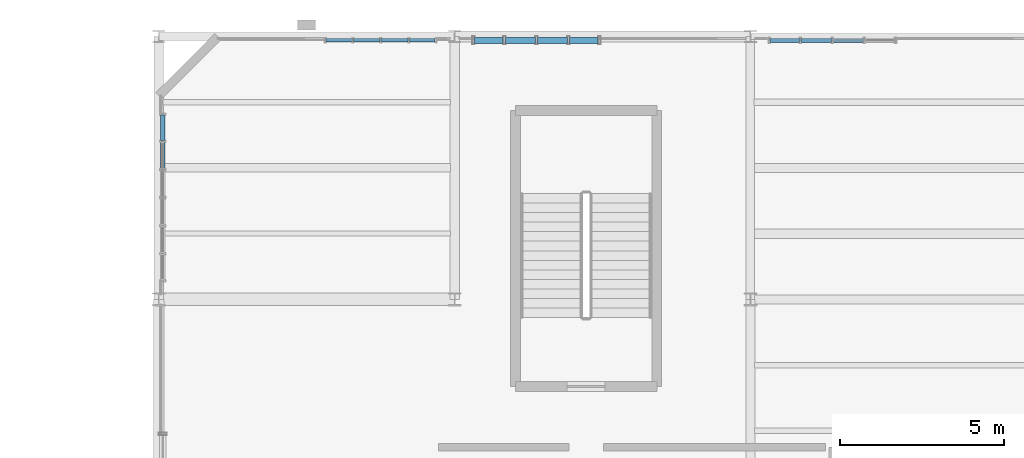
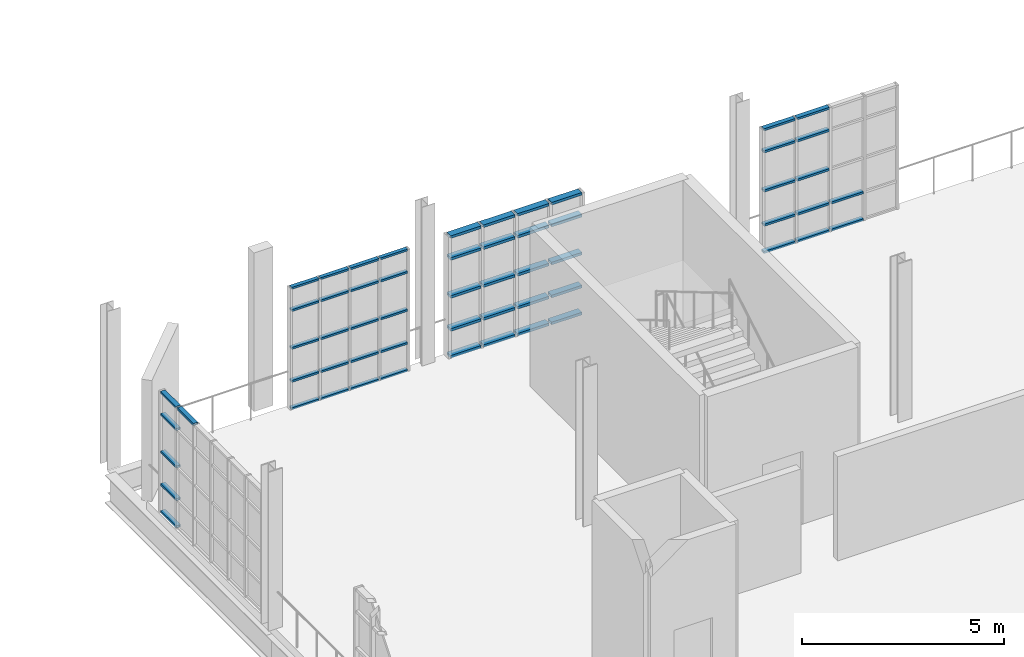
# One storey, part 84 of 118: 58 members, 4 elements without a shape of their own.
"""IFC4 building model written with IfcOpenShell, lengths in metres."""

import ifcopenshell
import ifcopenshell.guid

model = None  # the IFC model being written
_history = None  # IfcOwnerHistory: only IFC2X3 demands one
_inside = {}  # id of a spatial element -> (the spatial element, [elements in it])
_under = {}  # id of a project, library or spatial element -> (it, [spatial elements below it])
_declared = {}  # id of a project -> (the project, [libraries it declares])
_typed = {}  # id of a type object -> (the type object, [elements of that type])
_made_of = {}  # id of a material, layer set ... -> (it, [elements and type objects made of it])


def new_model(schema):
    """Start an empty IFC model of exactly this schema.

    Asked for "IFC4X3", IfcOpenShell would pick the latest addendum, in which some entities
    have other attributes; the version numbers below select the first issue.
    IFC2X3 requires an IfcOwnerHistory on every rooted entity: one is made here for all.
    """
    global model, _history
    if schema == "IFC4X3":
        model = ifcopenshell.file(schema_version=(4, 3, 0, 0))
    else:
        model = ifcopenshell.file(schema=schema)
    _inside.clear()
    _under.clear()
    _declared.clear()
    _typed.clear()
    _made_of.clear()
    _history = None
    if model.schema == "IFC2X3":
        org = make("IfcOrganization", Name="unknown")
        user = make(
            "IfcPersonAndOrganization",
            ThePerson=make("IfcPerson", FamilyName="unknown"),
            TheOrganization=org,
        )
        app = make(
            "IfcApplication",
            ApplicationDeveloper=org,
            Version="unknown",
            ApplicationFullName="unknown",
            ApplicationIdentifier="unknown",
        )
        _history = make(
            "IfcOwnerHistory",
            OwningUser=user,
            OwningApplication=app,
            ChangeAction="ADDED",
            CreationDate=0,
        )
    return model


def make(cls, **values):
    """One entity of the class cls with the attributes given. An attribute that is None is left unset."""
    return model.create_entity(
        cls, **{name: value for name, value in values.items() if value is not None}
    )


def rooted(cls, **values):
    """An entity with a GlobalId (a new one), such as an element, a storey or a relation."""
    return make(cls, GlobalId=ifcopenshell.guid.new(), OwnerHistory=_history, **values)


def si_unit(unit_type, name, prefix=None):
    """IfcSIUnit, for example si_unit("LENGTHUNIT", "METRE", prefix="MILLI")."""
    return make("IfcSIUnit", UnitType=unit_type, Prefix=prefix, Name=name)


def assignment(units):
    """IfcUnitAssignment: the units of a project."""
    return None if units is None else make("IfcUnitAssignment", Units=units)


def point(xyz):
    """IfcCartesianPoint."""
    return None if xyz is None else make("IfcCartesianPoint", Coordinates=xyz)


def direction(xyz):
    """IfcDirection."""
    return None if xyz is None else make("IfcDirection", DirectionRatios=xyz)


def frame(location, z_axis=None, x_axis=None):
    """IfcAxis2Placement3D, a coordinate frame: its origin and axes. An axis left out is left unset."""
    return make(
        "IfcAxis2Placement3D",
        Location=point(location),
        Axis=direction(z_axis),
        RefDirection=direction(x_axis),
    )


def frame_2d(location, x_axis=None):
    """IfcAxis2Placement2D, a coordinate frame in the plane: its origin and x axis."""
    return make(
        "IfcAxis2Placement2D", Location=point(location), RefDirection=direction(x_axis)
    )


def origin():
    """The frame at (0, 0, 0) with its axes left unset."""
    return frame((0.0, 0.0, 0.0))


def origin_2d():
    """The frame at (0, 0) in the plane with its x axis left unset."""
    return frame_2d((0.0, 0.0))


def place(relative_to, where):
    """IfcLocalPlacement: puts the frame where relative to a parent placement (None: the world)."""
    return make(
        "IfcLocalPlacement", PlacementRelTo=relative_to, RelativePlacement=where
    )


def context(
    kind, dimensions, precision=None, world=None, true_north=None, identifier=None
):
    """IfcGeometricRepresentationContext, for example the 3D "Model" context."""
    return make(
        "IfcGeometricRepresentationContext",
        ContextIdentifier=identifier,
        ContextType=kind,
        CoordinateSpaceDimension=dimensions,
        Precision=precision,
        WorldCoordinateSystem=world,
        TrueNorth=true_north,
    )


def subcontext(parent, identifier, kind, view, scale=None):
    """IfcGeometricRepresentationSubContext, for example "Body" below "Model"."""
    return make(
        "IfcGeometricRepresentationSubContext",
        ContextIdentifier=identifier,
        ContextType=kind,
        ParentContext=parent,
        TargetScale=scale,
        TargetView=view,
    )


def project(units=None, contexts=None):
    """IfcProject with its units and contexts."""
    return rooted(
        "IfcProject",
        Name="project",
        RepresentationContexts=contexts,
        UnitsInContext=assignment(units),
    )


def spatial(cls, under=None, at=None, **own):
    """A site, building, storey or space (cls), placed at a placement, below another one or the project."""
    s = rooted(cls, ObjectPlacement=at, **own)
    if under is not None:
        _under.setdefault(under.id(), (under, []))[1].append(s)
    return s


def profile(cls, at=None, kind="AREA", **sizes):
    """A parametric profile (cls). Its sizes go by their IFC names, for example OverallWidth=200.0."""
    return make(cls, ProfileType=kind, Position=at, **sizes)


def hollow_rectangle(**sizes):
    """IfcRectangleHollowProfileDef."""
    return profile("IfcRectangleHollowProfileDef", **sizes)


def extrude(swept, where, along, depth):
    """IfcExtrudedAreaSolid: the profile swept, set in the frame where, extruded along a direction by depth."""
    return make(
        "IfcExtrudedAreaSolid",
        SweptArea=swept,
        Position=where,
        ExtrudedDirection=direction(along),
        Depth=depth,
    )


def shape(context_of_items, identifier, shape_type, items):
    """IfcShapeRepresentation: the items that make up one representation, for example the "Body"."""
    return make(
        "IfcShapeRepresentation",
        ContextOfItems=context_of_items,
        RepresentationIdentifier=identifier,
        RepresentationType=shape_type,
        Items=items,
    )


def material(Name=None, Category=None):
    """IfcMaterial."""
    return make("IfcMaterial", Name=Name, Category=Category)


def layer(
    of_material, thickness, ventilated=None, Name=None, Category=None, Priority=None
):
    """IfcMaterialLayer: one layer of a wall or slab, of a material (None: an air gap)."""
    return make(
        "IfcMaterialLayer",
        Material=of_material,
        LayerThickness=thickness,
        IsVentilated=ventilated,
        Name=Name,
        Category=Category,
        Priority=Priority,
    )


def layer_set(layers, Name=None):
    """IfcMaterialLayerSet."""
    return make("IfcMaterialLayerSet", MaterialLayers=layers, LayerSetName=Name)


def material_profile(
    of_material, cross_section, Name=None, Category=None, Priority=None
):
    """IfcMaterialProfile: a cross section and its material."""
    return make(
        "IfcMaterialProfile",
        Name=Name,
        Material=of_material,
        Profile=cross_section,
        Priority=Priority,
        Category=Category,
    )


def profile_set(profiles, Name=None, composite=None):
    """IfcMaterialProfileSet."""
    return make(
        "IfcMaterialProfileSet",
        Name=Name,
        MaterialProfiles=profiles,
        CompositeProfile=composite,
    )


def made_of(thing, what):
    """Note that an element or type object is made of a material, layer set ...; save() writes the relation."""
    if what is not None:
        _made_of.setdefault(what.id(), (what, []))[1].append(thing)
    return thing


def type_object(cls, material=None, **own):
    """A type object (cls), such as IfcWallType, which elements share."""
    return made_of(rooted(cls, **own), material)


def element(
    cls,
    number,
    at=None,
    inside=None,
    cuts=None,
    type_object=None,
    material=None,
    context=None,
    identifier="Body",
    shape_type=None,
    held_by="IfcProductDefinitionShape",
    body=None,
    shapes=None,
    **own,
):
    """One element of the class cls, such as IfcWall. Its Tag is "e" and its number.

    at: its placement. inside: the storey or other place that contains it. cuts: it is an
    opening in that element (IfcRelVoidsElement). A single representation is given by context,
    identifier, shape_type and body (its items); several are given by shapes. held_by: the class
    of the entity that holds the representations. save() writes the other relations.
    """
    e = rooted(cls, Tag="e%d" % number, ObjectPlacement=at, **own)
    if body is not None:
        shapes = [shape(context, identifier, shape_type, body)]
    if shapes is not None:
        e.Representation = make(held_by, Representations=shapes)
    if inside is not None:
        _inside.setdefault(inside.id(), (inside, []))[1].append(e)
    if cuts is not None:
        rooted(
            "IfcRelVoidsElement", RelatingBuildingElement=cuts, RelatedOpeningElement=e
        )
    if type_object is not None:
        _typed.setdefault(type_object.id(), (type_object, []))[1].append(e)
    return made_of(e, material)


def aggregate(whole, parts):
    """IfcRelAggregates: a whole, such as a stair, and the parts it consists of."""
    return rooted("IfcRelAggregates", RelatingObject=whole, RelatedObjects=parts)


def save(model, path):
    """Write the relations noted so far, then the file.

    IfcRelAggregates (storeys below a building ...), IfcRelContainedInSpatialStructure (elements
    in a storey), IfcRelDefinesByType, IfcRelAssociatesMaterial and IfcRelDeclares: one each for
    every whole, place, type object, material and project.
    """
    for whole, parts in _under.values():
        aggregate(whole, parts)
    for where, things in _inside.values():
        rooted(
            "IfcRelContainedInSpatialStructure",
            RelatedElements=things,
            RelatingStructure=where,
        )
    for kind, things in _typed.values():
        rooted("IfcRelDefinesByType", RelatedObjects=things, RelatingType=kind)
    for what, things in _made_of.values():
        rooted("IfcRelAssociatesMaterial", RelatedObjects=things, RelatingMaterial=what)
    for by, libraries in _declared.values():
        rooted("IfcRelDeclares", RelatingContext=by, RelatedDefinitions=libraries)
    model.write(path)


model = new_model("IFC4")

# Units and contexts
model_context = context("Model", 3, precision=1e-05, world=origin(), true_north=direction((0.0, 1.0)))
body_context = subcontext(model_context, "Body", "Model", "MODEL_VIEW")
ifc_project = project(units=[si_unit("LENGTHUNIT", "METRE"), si_unit("AREAUNIT", "SQUARE_METRE"), si_unit("VOLUMEUNIT", "CUBIC_METRE"), si_unit("PLANEANGLEUNIT", "RADIAN"), si_unit("MASSUNIT", "GRAM", prefix="KILO"), si_unit("THERMODYNAMICTEMPERATUREUNIT", "KELVIN"), si_unit("POWERUNIT", "WATT")], contexts=[model_context])

# Site, building, storey
site_placement = place(None, origin())
site = spatial("IfcSite", under=ifc_project, at=site_placement, CompositionType="ELEMENT")
building_placement = place(site_placement, origin())
building = spatial("IfcBuilding", under=site, at=building_placement, Name="Zelmaris Science Centre", CompositionType="ELEMENT")
storey_placement = place(building_placement, frame((0.0, 0.0, 15.60009765625)))
storey = spatial("IfcBuildingStorey", under=building, at=storey_placement, Name="L03", CompositionType="ELEMENT", Elevation=15.60009765625)

# Curtain wall, members
ifc_material = material(Name="Anodised architectural aluminium 6063-T6", Category="aluminium")
ifc_layer_1 = layer(ifc_material, 0.219970703125, Name="Anodised architectural aluminium 6063-T6")
ifc_layer_set_1 = layer_set([ifc_layer_1], Name="Anodised architectural aluminium 6063-T6")
curtain_wall_type_1 = type_object("IfcCurtainWallType", Name="Curtain Wall CW-04", PredefinedType="USERDEFINED", material=ifc_layer_set_1)
curtain_wall_1_placement = place(storey_placement, origin())
curtain_wall_1 = element("IfcCurtainWall", 1, at=curtain_wall_1_placement, inside=storey, type_object=curtain_wall_type_1, Name="L03 Unitised curtain wall 280", ObjectType="GLAZED CURTAIN WALL", PredefinedType="USERDEFINED")
ifc_material_profile_1 = material_profile(ifc_material, hollow_rectangle(XDim=0.06005859375, YDim=0.110107421875, WallThickness=0.0029296875, at=origin_2d()), Name="ALU-TRN-60X110")
ifc_profile_set_1 = profile_set([ifc_material_profile_1], Name="Anodised architectural aluminium 6063-T6")
member_type_1 = type_object("IfcMemberType", Name="ALU-TRN-60X110", PredefinedType="USERDEFINED", material=ifc_profile_set_1)
member_1_placement = place(storey_placement, frame((59.092041015625, 87.8798828125, 0.010986328125), z_axis=(1.0, 0.0, 0.0), x_axis=(0.0, 0.0, 1.0)))
member_1 = element("IfcMember", 2, at=member_1_placement, type_object=member_type_1, Name="CW-04 transom 1.1", ObjectType="TRANSOM", PredefinedType="USERDEFINED", context=body_context, shape_type="SweptSolid", body=[
    extrude(hollow_rectangle(XDim=0.06005859375, YDim=0.110107421875, WallThickness=0.0029296875, at=origin_2d()), origin(), (0.0, 0.0, 1.0), 0.77685546875),
])
member_2_placement = place(storey_placement, frame((59.092041015625, 87.8798828125, 0.8349609375), z_axis=(1.0, 0.0, 0.0), x_axis=(0.0, 0.0, 1.0)))
member_2 = element("IfcMember", 3, at=member_2_placement, type_object=member_type_1, Name="CW-04 transom 1.2", ObjectType="TRANSOM", PredefinedType="USERDEFINED", context=body_context, shape_type="SweptSolid", body=[
    extrude(hollow_rectangle(XDim=0.06005859375, YDim=0.110107421875, WallThickness=0.0029296875, at=origin_2d()), origin(), (0.0, 0.0, 1.0), 0.77685546875),
])
member_3_placement = place(storey_placement, frame((59.092041015625, 87.8798828125, 1.831787109375), z_axis=(1.0, 0.0, 0.0), x_axis=(0.0, 0.0, 1.0)))
member_3 = element("IfcMember", 4, at=member_3_placement, type_object=member_type_1, Name="CW-04 transom 1.3", ObjectType="TRANSOM", PredefinedType="USERDEFINED", context=body_context, shape_type="SweptSolid", body=[
    extrude(hollow_rectangle(XDim=0.06005859375, YDim=0.110107421875, WallThickness=0.0029296875, at=origin_2d()), origin(), (0.0, 0.0, 1.0), 0.77685546875),
])
member_4_placement = place(storey_placement, frame((59.092041015625, 87.8798828125, 2.97900390625), z_axis=(1.0, 0.0, 0.0), x_axis=(0.0, 0.0, 1.0)))
member_4 = element("IfcMember", 5, at=member_4_placement, type_object=member_type_1, Name="CW-04 transom 1.4", ObjectType="TRANSOM", PredefinedType="USERDEFINED", context=body_context, shape_type="SweptSolid", body=[
    extrude(hollow_rectangle(XDim=0.06005859375, YDim=0.110107421875, WallThickness=0.0029296875, at=origin_2d()), origin(), (0.0, 0.0, 1.0), 0.77685546875),
])
member_5_placement = place(storey_placement, frame((59.092041015625, 87.8798828125, 3.65283203125), z_axis=(1.0, 0.0, 0.0), x_axis=(0.0, 0.0, 1.0)))
member_5 = element("IfcMember", 6, at=member_5_placement, type_object=member_type_1, Name="CW-04 transom 1.5", ObjectType="TRANSOM", PredefinedType="USERDEFINED", context=body_context, shape_type="SweptSolid", body=[
    extrude(hollow_rectangle(XDim=0.06005859375, YDim=0.110107421875, WallThickness=0.0029296875, at=origin_2d()), origin(), (0.0, 0.0, 1.0), 0.77685546875),
])
member_6_placement = place(storey_placement, frame((59.9208984375, 87.8798828125, 0.010986328125), z_axis=(1.0, 0.0, 0.0), x_axis=(0.0, 0.0, 1.0)))
member_6 = element("IfcMember", 7, at=member_6_placement, type_object=member_type_1, Name="CW-04 transom 2.1", ObjectType="TRANSOM", PredefinedType="USERDEFINED", context=body_context, shape_type="SweptSolid", body=[
    extrude(hollow_rectangle(XDim=0.06005859375, YDim=0.110107421875, WallThickness=0.0029296875, at=origin_2d()), origin(), (0.0, 0.0, 1.0), 0.80322265625),
])
member_7_placement = place(storey_placement, frame((59.9208984375, 87.8798828125, 0.8349609375), z_axis=(1.0, 0.0, 0.0), x_axis=(0.0, 0.0, 1.0)))
member_7 = element("IfcMember", 8, at=member_7_placement, type_object=member_type_1, Name="CW-04 transom 2.2", ObjectType="TRANSOM", PredefinedType="USERDEFINED", context=body_context, shape_type="SweptSolid", body=[
    extrude(hollow_rectangle(XDim=0.06005859375, YDim=0.110107421875, WallThickness=0.0029296875, at=origin_2d()), origin(), (0.0, 0.0, 1.0), 0.80322265625),
])
member_8_placement = place(storey_placement, frame((59.9208984375, 87.8798828125, 1.831787109375), z_axis=(1.0, 0.0, 0.0), x_axis=(0.0, 0.0, 1.0)))
member_8 = element("IfcMember", 9, at=member_8_placement, type_object=member_type_1, Name="CW-04 transom 2.3", ObjectType="TRANSOM", PredefinedType="USERDEFINED", context=body_context, shape_type="SweptSolid", body=[
    extrude(hollow_rectangle(XDim=0.06005859375, YDim=0.110107421875, WallThickness=0.0029296875, at=origin_2d()), origin(), (0.0, 0.0, 1.0), 0.80322265625),
])
member_9_placement = place(storey_placement, frame((59.9208984375, 87.8798828125, 2.97900390625), z_axis=(1.0, 0.0, 0.0), x_axis=(0.0, 0.0, 1.0)))
member_9 = element("IfcMember", 10, at=member_9_placement, type_object=member_type_1, Name="CW-04 transom 2.4", ObjectType="TRANSOM", PredefinedType="USERDEFINED", context=body_context, shape_type="SweptSolid", body=[
    extrude(hollow_rectangle(XDim=0.06005859375, YDim=0.110107421875, WallThickness=0.0029296875, at=origin_2d()), origin(), (0.0, 0.0, 1.0), 0.80322265625),
])
member_10_placement = place(storey_placement, frame((59.9208984375, 87.8798828125, 3.65283203125), z_axis=(1.0, 0.0, 0.0), x_axis=(0.0, 0.0, 1.0)))
member_10 = element("IfcMember", 11, at=member_10_placement, type_object=member_type_1, Name="CW-04 transom 2.5", ObjectType="TRANSOM", PredefinedType="USERDEFINED", context=body_context, shape_type="SweptSolid", body=[
    extrude(hollow_rectangle(XDim=0.06005859375, YDim=0.110107421875, WallThickness=0.0029296875, at=origin_2d()), origin(), (0.0, 0.0, 1.0), 0.80322265625),
])
member_11_placement = place(storey_placement, frame((60.77587890625, 87.8798828125, 0.010986328125), z_axis=(1.0, 0.0, 0.0), x_axis=(0.0, 0.0, 1.0)))
member_11 = element("IfcMember", 12, at=member_11_placement, type_object=member_type_1, Name="CW-04 transom 3.1", ObjectType="TRANSOM", PredefinedType="USERDEFINED", context=body_context, shape_type="SweptSolid", body=[
    extrude(hollow_rectangle(XDim=0.06005859375, YDim=0.110107421875, WallThickness=0.0029296875, at=origin_2d()), origin(), (0.0, 0.0, 1.0), 0.80322265625),
])
member_12_placement = place(storey_placement, frame((60.77587890625, 87.8798828125, 0.8349609375), z_axis=(1.0, 0.0, 0.0), x_axis=(0.0, 0.0, 1.0)))
member_12 = element("IfcMember", 13, at=member_12_placement, type_object=member_type_1, Name="CW-04 transom 3.2", ObjectType="TRANSOM", PredefinedType="USERDEFINED", context=body_context, shape_type="SweptSolid", body=[
    extrude(hollow_rectangle(XDim=0.06005859375, YDim=0.110107421875, WallThickness=0.0029296875, at=origin_2d()), origin(), (0.0, 0.0, 1.0), 0.80322265625),
])
member_13_placement = place(storey_placement, frame((60.77587890625, 87.8798828125, 1.831787109375), z_axis=(1.0, 0.0, 0.0), x_axis=(0.0, 0.0, 1.0)))
member_13 = element("IfcMember", 14, at=member_13_placement, type_object=member_type_1, Name="CW-04 transom 3.3", ObjectType="TRANSOM", PredefinedType="USERDEFINED", context=body_context, shape_type="SweptSolid", body=[
    extrude(hollow_rectangle(XDim=0.06005859375, YDim=0.110107421875, WallThickness=0.0029296875, at=origin_2d()), origin(), (0.0, 0.0, 1.0), 0.80322265625),
])
member_14_placement = place(storey_placement, frame((60.77587890625, 87.8798828125, 2.97900390625), z_axis=(1.0, 0.0, 0.0), x_axis=(0.0, 0.0, 1.0)))
member_14 = element("IfcMember", 15, at=member_14_placement, type_object=member_type_1, Name="CW-04 transom 3.4", ObjectType="TRANSOM", PredefinedType="USERDEFINED", context=body_context, shape_type="SweptSolid", body=[
    extrude(hollow_rectangle(XDim=0.06005859375, YDim=0.110107421875, WallThickness=0.0029296875, at=origin_2d()), origin(), (0.0, 0.0, 1.0), 0.80322265625),
])
member_15_placement = place(storey_placement, frame((60.77587890625, 87.8798828125, 3.65283203125), z_axis=(1.0, 0.0, 0.0), x_axis=(0.0, 0.0, 1.0)))
member_15 = element("IfcMember", 16, at=member_15_placement, type_object=member_type_1, Name="CW-04 transom 3.5", ObjectType="TRANSOM", PredefinedType="USERDEFINED", context=body_context, shape_type="SweptSolid", body=[
    extrude(hollow_rectangle(XDim=0.06005859375, YDim=0.110107421875, WallThickness=0.0029296875, at=origin_2d()), origin(), (0.0, 0.0, 1.0), 0.80322265625),
])
member_16_placement = place(storey_placement, frame((61.631103515625, 87.8798828125, 0.010986328125), z_axis=(1.0, 0.0, 0.0), x_axis=(0.0, 0.0, 1.0)))
member_16 = element("IfcMember", 17, at=member_16_placement, type_object=member_type_1, Name="CW-04 transom 4.1", ObjectType="TRANSOM", PredefinedType="USERDEFINED", context=body_context, shape_type="SweptSolid", body=[
    extrude(hollow_rectangle(XDim=0.06005859375, YDim=0.110107421875, WallThickness=0.0029296875, at=origin_2d()), origin(), (0.0, 0.0, 1.0), 0.77685546875),
])
member_17_placement = place(storey_placement, frame((61.631103515625, 87.8798828125, 0.8349609375), z_axis=(1.0, 0.0, 0.0), x_axis=(0.0, 0.0, 1.0)))
member_17 = element("IfcMember", 18, at=member_17_placement, type_object=member_type_1, Name="CW-04 transom 4.2", ObjectType="TRANSOM", PredefinedType="USERDEFINED", context=body_context, shape_type="SweptSolid", body=[
    extrude(hollow_rectangle(XDim=0.06005859375, YDim=0.110107421875, WallThickness=0.0029296875, at=origin_2d()), origin(), (0.0, 0.0, 1.0), 0.77685546875),
])
member_18_placement = place(storey_placement, frame((61.631103515625, 87.8798828125, 1.831787109375), z_axis=(1.0, 0.0, 0.0), x_axis=(0.0, 0.0, 1.0)))
member_18 = element("IfcMember", 19, at=member_18_placement, type_object=member_type_1, Name="CW-04 transom 4.3", ObjectType="TRANSOM", PredefinedType="USERDEFINED", context=body_context, shape_type="SweptSolid", body=[
    extrude(hollow_rectangle(XDim=0.06005859375, YDim=0.110107421875, WallThickness=0.0029296875, at=origin_2d()), origin(), (0.0, 0.0, 1.0), 0.77685546875),
])
member_19_placement = place(storey_placement, frame((61.631103515625, 87.8798828125, 2.97900390625), z_axis=(1.0, 0.0, 0.0), x_axis=(0.0, 0.0, 1.0)))
member_19 = element("IfcMember", 20, at=member_19_placement, type_object=member_type_1, Name="CW-04 transom 4.4", ObjectType="TRANSOM", PredefinedType="USERDEFINED", context=body_context, shape_type="SweptSolid", body=[
    extrude(hollow_rectangle(XDim=0.06005859375, YDim=0.110107421875, WallThickness=0.0029296875, at=origin_2d()), origin(), (0.0, 0.0, 1.0), 0.77685546875),
])
member_20_placement = place(storey_placement, frame((61.631103515625, 87.8798828125, 3.65283203125), z_axis=(1.0, 0.0, 0.0), x_axis=(0.0, 0.0, 1.0)))
member_20 = element("IfcMember", 21, at=member_20_placement, type_object=member_type_1, Name="CW-04 transom 4.5", ObjectType="TRANSOM", PredefinedType="USERDEFINED", context=body_context, shape_type="SweptSolid", body=[
    extrude(hollow_rectangle(XDim=0.06005859375, YDim=0.110107421875, WallThickness=0.0029296875, at=origin_2d()), origin(), (0.0, 0.0, 1.0), 0.77685546875),
])
aggregate(curtain_wall_1, [member_1, member_2, member_3, member_4, member_5, member_6, member_7, member_8, member_9, member_10, member_11, member_12, member_13, member_14, member_15, member_16, member_17, member_18, member_19, member_20])

ifc_layer_2 = layer(ifc_material, 0.2099609375, Name="Anodised architectural aluminium 6063-T6")
ifc_layer_set_2 = layer_set([ifc_layer_2], Name="Anodised architectural aluminium 6063-T6")
curtain_wall_type_2 = type_object("IfcCurtainWallType", Name="Curtain Wall CW-03", PredefinedType="USERDEFINED", material=ifc_layer_set_2)
curtain_wall_2_placement = place(storey_placement, origin())
curtain_wall_2 = element("IfcCurtainWall", 22, at=curtain_wall_2_placement, inside=storey, type_object=curtain_wall_type_2, Name="L03 Unitised curtain wall 279", ObjectType="GLAZED CURTAIN WALL", PredefinedType="USERDEFINED")
ifc_material_profile_2 = material_profile(ifc_material, hollow_rectangle(XDim=0.06494140625, YDim=0.1298828125, WallThickness=0.00341796875, at=origin_2d()), Name="ALU-TRN-65X130")
ifc_profile_set_2 = profile_set([ifc_material_profile_2], Name="Anodised architectural aluminium 6063-T6")
member_type_2 = type_object("IfcMemberType", Name="ALU-TRN-65X130", PredefinedType="USERDEFINED", material=ifc_profile_set_2)
member_21_placement = place(storey_placement, frame((54.1201171875, 83.98193359375, 3.62548828125), z_axis=(0.0, 1.0, 0.0), x_axis=(0.0, 0.0, 1.0)))
member_21 = element("IfcMember", 23, at=member_21_placement, type_object=member_type_2, Name="CW-03 transom 5.5", ObjectType="TRANSOM", PredefinedType="USERDEFINED", context=body_context, shape_type="SweptSolid", body=[
    extrude(hollow_rectangle(XDim=0.06494140625, YDim=0.1298828125, WallThickness=0.00341796875, at=origin_2d()), origin(), (0.0, 0.0, 1.0), 0.796142578125),
])
member_22_placement = place(storey_placement, frame((54.1201171875, 84.835205078125, 0.013427734375), z_axis=(0.0, 1.0, 0.0), x_axis=(0.0, 0.0, 1.0)))
member_22 = element("IfcMember", 24, at=member_22_placement, type_object=member_type_2, Name="CW-03 transom 6.1", ObjectType="TRANSOM", PredefinedType="USERDEFINED", context=body_context, shape_type="SweptSolid", body=[
    extrude(hollow_rectangle(XDim=0.06494140625, YDim=0.1298828125, WallThickness=0.00341796875, at=origin_2d()), origin(), (0.0, 0.0, 1.0), 0.767822265625),
])
member_23_placement = place(storey_placement, frame((54.1201171875, 84.835205078125, 0.8349609375), z_axis=(0.0, 1.0, 0.0), x_axis=(0.0, 0.0, 1.0)))
member_23 = element("IfcMember", 25, at=member_23_placement, type_object=member_type_2, Name="CW-03 transom 6.2", ObjectType="TRANSOM", PredefinedType="USERDEFINED", context=body_context, shape_type="SweptSolid", body=[
    extrude(hollow_rectangle(XDim=0.06494140625, YDim=0.1298828125, WallThickness=0.00341796875, at=origin_2d()), origin(), (0.0, 0.0, 1.0), 0.767822265625),
])
member_24_placement = place(storey_placement, frame((54.1201171875, 84.835205078125, 1.8193359375), z_axis=(0.0, 1.0, 0.0), x_axis=(0.0, 0.0, 1.0)))
member_24 = element("IfcMember", 26, at=member_24_placement, type_object=member_type_2, Name="CW-03 transom 6.3", ObjectType="TRANSOM", PredefinedType="USERDEFINED", context=body_context, shape_type="SweptSolid", body=[
    extrude(hollow_rectangle(XDim=0.06494140625, YDim=0.1298828125, WallThickness=0.00341796875, at=origin_2d()), origin(), (0.0, 0.0, 1.0), 0.767822265625),
])
member_25_placement = place(storey_placement, frame((54.1201171875, 84.835205078125, 2.953857421875), z_axis=(0.0, 1.0, 0.0), x_axis=(0.0, 0.0, 1.0)))
member_25 = element("IfcMember", 27, at=member_25_placement, type_object=member_type_2, Name="CW-03 transom 6.4", ObjectType="TRANSOM", PredefinedType="USERDEFINED", context=body_context, shape_type="SweptSolid", body=[
    extrude(hollow_rectangle(XDim=0.06494140625, YDim=0.1298828125, WallThickness=0.00341796875, at=origin_2d()), origin(), (0.0, 0.0, 1.0), 0.767822265625),
])
member_26_placement = place(storey_placement, frame((54.1201171875, 84.835205078125, 3.62548828125), z_axis=(0.0, 1.0, 0.0), x_axis=(0.0, 0.0, 1.0)))
member_26 = element("IfcMember", 28, at=member_26_placement, type_object=member_type_2, Name="CW-03 transom 6.5", ObjectType="TRANSOM", PredefinedType="USERDEFINED", context=body_context, shape_type="SweptSolid", body=[
    extrude(hollow_rectangle(XDim=0.06494140625, YDim=0.1298828125, WallThickness=0.00341796875, at=origin_2d()), origin(), (0.0, 0.0, 1.0), 0.767822265625),
])
aggregate(curtain_wall_2, [member_21, member_22, member_23, member_24, member_25, member_26])

curtain_wall_3_placement = place(storey_placement, origin())
curtain_wall_3 = element("IfcCurtainWall", 29, at=curtain_wall_3_placement, inside=storey, type_object=curtain_wall_type_2, Name="L03 Unitised curtain wall 283", ObjectType="GLAZED CURTAIN WALL", PredefinedType="USERDEFINED")
member_27_placement = place(storey_placement, frame((72.596923828125, 87.8798828125, 0.013427734375), z_axis=(1.0, 0.0, 0.0), x_axis=(0.0, 0.0, 1.0)))
member_27 = element("IfcMember", 30, at=member_27_placement, type_object=member_type_2, Name="CW-03 transom 1.1", ObjectType="TRANSOM", PredefinedType="USERDEFINED", context=body_context, shape_type="SweptSolid", body=[
    extrude(hollow_rectangle(XDim=0.06494140625, YDim=0.1298828125, WallThickness=0.00341796875, at=origin_2d()), origin(), (0.0, 0.0, 1.0), 0.8896484375),
])
member_28_placement = place(storey_placement, frame((72.596923828125, 87.8798828125, 0.8349609375), z_axis=(1.0, 0.0, 0.0), x_axis=(0.0, 0.0, 1.0)))
member_28 = element("IfcMember", 31, at=member_28_placement, type_object=member_type_2, Name="CW-03 transom 1.2", ObjectType="TRANSOM", PredefinedType="USERDEFINED", context=body_context, shape_type="SweptSolid", body=[
    extrude(hollow_rectangle(XDim=0.06494140625, YDim=0.1298828125, WallThickness=0.00341796875, at=origin_2d()), origin(), (0.0, 0.0, 1.0), 0.8896484375),
])
member_29_placement = place(storey_placement, frame((72.596923828125, 87.8798828125, 1.868896484375), z_axis=(1.0, 0.0, 0.0), x_axis=(0.0, 0.0, 1.0)))
member_29 = element("IfcMember", 32, at=member_29_placement, type_object=member_type_2, Name="CW-03 transom 1.3", ObjectType="TRANSOM", PredefinedType="USERDEFINED", context=body_context, shape_type="SweptSolid", body=[
    extrude(hollow_rectangle(XDim=0.06494140625, YDim=0.1298828125, WallThickness=0.00341796875, at=origin_2d()), origin(), (0.0, 0.0, 1.0), 0.8896484375),
])
member_30_placement = place(storey_placement, frame((72.596923828125, 87.8798828125, 3.052978515625), z_axis=(1.0, 0.0, 0.0), x_axis=(0.0, 0.0, 1.0)))
member_30 = element("IfcMember", 33, at=member_30_placement, type_object=member_type_2, Name="CW-03 transom 1.4", ObjectType="TRANSOM", PredefinedType="USERDEFINED", context=body_context, shape_type="SweptSolid", body=[
    extrude(hollow_rectangle(XDim=0.06494140625, YDim=0.1298828125, WallThickness=0.00341796875, at=origin_2d()), origin(), (0.0, 0.0, 1.0), 0.8896484375),
])
member_31_placement = place(storey_placement, frame((72.596923828125, 87.8798828125, 3.724365234375), z_axis=(1.0, 0.0, 0.0), x_axis=(0.0, 0.0, 1.0)))
member_31 = element("IfcMember", 34, at=member_31_placement, type_object=member_type_2, Name="CW-03 transom 1.5", ObjectType="TRANSOM", PredefinedType="USERDEFINED", context=body_context, shape_type="SweptSolid", body=[
    extrude(hollow_rectangle(XDim=0.06494140625, YDim=0.1298828125, WallThickness=0.00341796875, at=origin_2d()), origin(), (0.0, 0.0, 1.0), 0.8896484375),
])
member_32_placement = place(storey_placement, frame((73.54345703125, 87.8798828125, 0.013427734375), z_axis=(1.0, 0.0, 0.0), x_axis=(0.0, 0.0, 1.0)))
member_32 = element("IfcMember", 35, at=member_32_placement, type_object=member_type_2, Name="CW-03 transom 2.1", ObjectType="TRANSOM", PredefinedType="USERDEFINED", context=body_context, shape_type="SweptSolid", body=[
    extrude(hollow_rectangle(XDim=0.06494140625, YDim=0.1298828125, WallThickness=0.00341796875, at=origin_2d()), origin(), (0.0, 0.0, 1.0), 0.91796875),
])
member_33_placement = place(storey_placement, frame((73.54345703125, 87.8798828125, 0.8349609375), z_axis=(1.0, 0.0, 0.0), x_axis=(0.0, 0.0, 1.0)))
member_33 = element("IfcMember", 36, at=member_33_placement, type_object=member_type_2, Name="CW-03 transom 2.2", ObjectType="TRANSOM", PredefinedType="USERDEFINED", context=body_context, shape_type="SweptSolid", body=[
    extrude(hollow_rectangle(XDim=0.06494140625, YDim=0.1298828125, WallThickness=0.00341796875, at=origin_2d()), origin(), (0.0, 0.0, 1.0), 0.91796875),
])
member_34_placement = place(storey_placement, frame((73.54345703125, 87.8798828125, 1.868896484375), z_axis=(1.0, 0.0, 0.0), x_axis=(0.0, 0.0, 1.0)))
member_34 = element("IfcMember", 37, at=member_34_placement, type_object=member_type_2, Name="CW-03 transom 2.3", ObjectType="TRANSOM", PredefinedType="USERDEFINED", context=body_context, shape_type="SweptSolid", body=[
    extrude(hollow_rectangle(XDim=0.06494140625, YDim=0.1298828125, WallThickness=0.00341796875, at=origin_2d()), origin(), (0.0, 0.0, 1.0), 0.91796875),
])
member_35_placement = place(storey_placement, frame((73.54345703125, 87.8798828125, 3.052978515625), z_axis=(1.0, 0.0, 0.0), x_axis=(0.0, 0.0, 1.0)))
member_35 = element("IfcMember", 38, at=member_35_placement, type_object=member_type_2, Name="CW-03 transom 2.4", ObjectType="TRANSOM", PredefinedType="USERDEFINED", context=body_context, shape_type="SweptSolid", body=[
    extrude(hollow_rectangle(XDim=0.06494140625, YDim=0.1298828125, WallThickness=0.00341796875, at=origin_2d()), origin(), (0.0, 0.0, 1.0), 0.91796875),
])
member_36_placement = place(storey_placement, frame((73.54345703125, 87.8798828125, 3.724365234375), z_axis=(1.0, 0.0, 0.0), x_axis=(0.0, 0.0, 1.0)))
member_36 = element("IfcMember", 39, at=member_36_placement, type_object=member_type_2, Name="CW-03 transom 2.5", ObjectType="TRANSOM", PredefinedType="USERDEFINED", context=body_context, shape_type="SweptSolid", body=[
    extrude(hollow_rectangle(XDim=0.06494140625, YDim=0.1298828125, WallThickness=0.00341796875, at=origin_2d()), origin(), (0.0, 0.0, 1.0), 0.91796875),
])
member_37_placement = place(storey_placement, frame((74.5185546875, 87.8798828125, 0.013427734375), z_axis=(1.0, 0.0, 0.0), x_axis=(0.0, 0.0, 1.0)))
member_37 = element("IfcMember", 40, at=member_37_placement, type_object=member_type_2, Name="CW-03 transom 3.1", ObjectType="TRANSOM", PredefinedType="USERDEFINED", context=body_context, shape_type="SweptSolid", body=[
    extrude(hollow_rectangle(XDim=0.06494140625, YDim=0.1298828125, WallThickness=0.00341796875, at=origin_2d()), origin(), (0.0, 0.0, 1.0), 0.91796875),
])
member_38_placement = place(storey_placement, frame((74.5185546875, 87.8798828125, 0.8349609375), z_axis=(1.0, 0.0, 0.0), x_axis=(0.0, 0.0, 1.0)))
member_38 = element("IfcMember", 41, at=member_38_placement, type_object=member_type_2, Name="CW-03 transom 3.2", ObjectType="TRANSOM", PredefinedType="USERDEFINED", context=body_context, shape_type="SweptSolid", body=[
    extrude(hollow_rectangle(XDim=0.06494140625, YDim=0.1298828125, WallThickness=0.00341796875, at=origin_2d()), origin(), (0.0, 0.0, 1.0), 0.91796875),
])
aggregate(curtain_wall_3, [member_27, member_28, member_29, member_30, member_31, member_32, member_33, member_34, member_35, member_36, member_37, member_38])

ifc_layer_3 = layer(ifc_material, 0.18994140625, Name="Anodised architectural aluminium 6063-T6")
ifc_layer_set_3 = layer_set([ifc_layer_3], Name="Anodised architectural aluminium 6063-T6")
curtain_wall_type_3 = type_object("IfcCurtainWallType", Name="Curtain Wall CW-01", PredefinedType="USERDEFINED", material=ifc_layer_set_3)
curtain_wall_4_placement = place(storey_placement, origin())
curtain_wall_4 = element("IfcCurtainWall", 42, at=curtain_wall_4_placement, inside=storey, type_object=curtain_wall_type_3, Name="L03 Unitised curtain wall 281", ObjectType="GLAZED CURTAIN WALL", PredefinedType="USERDEFINED")
ifc_material_profile_3 = material_profile(ifc_material, hollow_rectangle(XDim=0.080078125, YDim=0.18994140625, WallThickness=0.00439453125, at=origin_2d()), Name="ALU-TRN-80X190")
ifc_profile_set_3 = profile_set([ifc_material_profile_3], Name="Anodised architectural aluminium 6063-T6")
member_type_3 = type_object("IfcMemberType", Name="ALU-TRN-80X190", PredefinedType="USERDEFINED", material=ifc_profile_set_3)
member_39_placement = place(storey_placement, frame((63.612060546875, 87.8798828125, 0.02099609375), z_axis=(1.0, 0.0, 0.0), x_axis=(0.0, 0.0, 1.0)))
member_39 = element("IfcMember", 43, at=member_39_placement, type_object=member_type_3, Name="CW-01 transom 1.1", ObjectType="TRANSOM", PredefinedType="USERDEFINED", context=body_context, shape_type="SweptSolid", body=[
    extrude(hollow_rectangle(XDim=0.080078125, YDim=0.18994140625, WallThickness=0.00439453125, at=origin_2d()), origin(), (0.0, 0.0, 1.0), 0.866943359375),
])
member_40_placement = place(storey_placement, frame((63.612060546875, 87.8798828125, 0.8349609375), z_axis=(1.0, 0.0, 0.0), x_axis=(0.0, 0.0, 1.0)))
member_40 = element("IfcMember", 44, at=member_40_placement, type_object=member_type_3, Name="CW-01 transom 1.2", ObjectType="TRANSOM", PredefinedType="USERDEFINED", context=body_context, shape_type="SweptSolid", body=[
    extrude(hollow_rectangle(XDim=0.080078125, YDim=0.18994140625, WallThickness=0.00439453125, at=origin_2d()), origin(), (0.0, 0.0, 1.0), 0.866943359375),
])
member_41_placement = place(storey_placement, frame((63.612060546875, 87.8798828125, 1.831787109375), z_axis=(1.0, 0.0, 0.0), x_axis=(0.0, 0.0, 1.0)))
member_41 = element("IfcMember", 45, at=member_41_placement, type_object=member_type_3, Name="CW-01 transom 1.3", ObjectType="TRANSOM", PredefinedType="USERDEFINED", context=body_context, shape_type="SweptSolid", body=[
    extrude(hollow_rectangle(XDim=0.080078125, YDim=0.18994140625, WallThickness=0.00439453125, at=origin_2d()), origin(), (0.0, 0.0, 1.0), 0.866943359375),
])
member_42_placement = place(storey_placement, frame((63.612060546875, 87.8798828125, 2.97900390625), z_axis=(1.0, 0.0, 0.0), x_axis=(0.0, 0.0, 1.0)))
member_42 = element("IfcMember", 46, at=member_42_placement, type_object=member_type_3, Name="CW-01 transom 1.4", ObjectType="TRANSOM", PredefinedType="USERDEFINED", context=body_context, shape_type="SweptSolid", body=[
    extrude(hollow_rectangle(XDim=0.080078125, YDim=0.18994140625, WallThickness=0.00439453125, at=origin_2d()), origin(), (0.0, 0.0, 1.0), 0.866943359375),
])
member_43_placement = place(storey_placement, frame((63.612060546875, 87.8798828125, 3.642822265625), z_axis=(1.0, 0.0, 0.0), x_axis=(0.0, 0.0, 1.0)))
member_43 = element("IfcMember", 47, at=member_43_placement, type_object=member_type_3, Name="CW-01 transom 1.5", ObjectType="TRANSOM", PredefinedType="USERDEFINED", context=body_context, shape_type="SweptSolid", body=[
    extrude(hollow_rectangle(XDim=0.080078125, YDim=0.18994140625, WallThickness=0.00439453125, at=origin_2d()), origin(), (0.0, 0.0, 1.0), 0.866943359375),
])
member_44_placement = place(storey_placement, frame((64.551025390625, 87.8798828125, 0.02099609375), z_axis=(1.0, 0.0, 0.0), x_axis=(0.0, 0.0, 1.0)))
member_44 = element("IfcMember", 48, at=member_44_placement, type_object=member_type_3, Name="CW-01 transom 2.1", ObjectType="TRANSOM", PredefinedType="USERDEFINED", context=body_context, shape_type="SweptSolid", body=[
    extrude(hollow_rectangle(XDim=0.080078125, YDim=0.18994140625, WallThickness=0.00439453125, at=origin_2d()), origin(), (0.0, 0.0, 1.0), 0.903076171875),
])
member_45_placement = place(storey_placement, frame((64.551025390625, 87.8798828125, 0.8349609375), z_axis=(1.0, 0.0, 0.0), x_axis=(0.0, 0.0, 1.0)))
member_45 = element("IfcMember", 49, at=member_45_placement, type_object=member_type_3, Name="CW-01 transom 2.2", ObjectType="TRANSOM", PredefinedType="USERDEFINED", context=body_context, shape_type="SweptSolid", body=[
    extrude(hollow_rectangle(XDim=0.080078125, YDim=0.18994140625, WallThickness=0.00439453125, at=origin_2d()), origin(), (0.0, 0.0, 1.0), 0.903076171875),
])
member_46_placement = place(storey_placement, frame((64.551025390625, 87.8798828125, 1.831787109375), z_axis=(1.0, 0.0, 0.0), x_axis=(0.0, 0.0, 1.0)))
member_46 = element("IfcMember", 50, at=member_46_placement, type_object=member_type_3, Name="CW-01 transom 2.3", ObjectType="TRANSOM", PredefinedType="USERDEFINED", context=body_context, shape_type="SweptSolid", body=[
    extrude(hollow_rectangle(XDim=0.080078125, YDim=0.18994140625, WallThickness=0.00439453125, at=origin_2d()), origin(), (0.0, 0.0, 1.0), 0.903076171875),
])
member_47_placement = place(storey_placement, frame((64.551025390625, 87.8798828125, 2.97900390625), z_axis=(1.0, 0.0, 0.0), x_axis=(0.0, 0.0, 1.0)))
member_47 = element("IfcMember", 51, at=member_47_placement, type_object=member_type_3, Name="CW-01 transom 2.4", ObjectType="TRANSOM", PredefinedType="USERDEFINED", context=body_context, shape_type="SweptSolid", body=[
    extrude(hollow_rectangle(XDim=0.080078125, YDim=0.18994140625, WallThickness=0.00439453125, at=origin_2d()), origin(), (0.0, 0.0, 1.0), 0.903076171875),
])
member_48_placement = place(storey_placement, frame((64.551025390625, 87.8798828125, 3.642822265625), z_axis=(1.0, 0.0, 0.0), x_axis=(0.0, 0.0, 1.0)))
member_48 = element("IfcMember", 52, at=member_48_placement, type_object=member_type_3, Name="CW-01 transom 2.5", ObjectType="TRANSOM", PredefinedType="USERDEFINED", context=body_context, shape_type="SweptSolid", body=[
    extrude(hollow_rectangle(XDim=0.080078125, YDim=0.18994140625, WallThickness=0.00439453125, at=origin_2d()), origin(), (0.0, 0.0, 1.0), 0.903076171875),
])
member_49_placement = place(storey_placement, frame((65.52587890625, 87.8798828125, 0.02099609375), z_axis=(1.0, 0.0, 0.0), x_axis=(0.0, 0.0, 1.0)))
member_49 = element("IfcMember", 53, at=member_49_placement, type_object=member_type_3, Name="CW-01 transom 3.1", ObjectType="TRANSOM", PredefinedType="USERDEFINED", context=body_context, shape_type="SweptSolid", body=[
    extrude(hollow_rectangle(XDim=0.080078125, YDim=0.18994140625, WallThickness=0.00439453125, at=origin_2d()), origin(), (0.0, 0.0, 1.0), 0.903076171875),
])
member_50_placement = place(storey_placement, frame((65.52587890625, 87.8798828125, 0.8349609375), z_axis=(1.0, 0.0, 0.0), x_axis=(0.0, 0.0, 1.0)))
member_50 = element("IfcMember", 54, at=member_50_placement, type_object=member_type_3, Name="CW-01 transom 3.2", ObjectType="TRANSOM", PredefinedType="USERDEFINED", context=body_context, shape_type="SweptSolid", body=[
    extrude(hollow_rectangle(XDim=0.080078125, YDim=0.18994140625, WallThickness=0.00439453125, at=origin_2d()), origin(), (0.0, 0.0, 1.0), 0.903076171875),
])
member_51_placement = place(storey_placement, frame((65.52587890625, 87.8798828125, 1.831787109375), z_axis=(1.0, 0.0, 0.0), x_axis=(0.0, 0.0, 1.0)))
member_51 = element("IfcMember", 55, at=member_51_placement, type_object=member_type_3, Name="CW-01 transom 3.3", ObjectType="TRANSOM", PredefinedType="USERDEFINED", context=body_context, shape_type="SweptSolid", body=[
    extrude(hollow_rectangle(XDim=0.080078125, YDim=0.18994140625, WallThickness=0.00439453125, at=origin_2d()), origin(), (0.0, 0.0, 1.0), 0.903076171875),
])
member_52_placement = place(storey_placement, frame((65.52587890625, 87.8798828125, 2.97900390625), z_axis=(1.0, 0.0, 0.0), x_axis=(0.0, 0.0, 1.0)))
member_52 = element("IfcMember", 56, at=member_52_placement, type_object=member_type_3, Name="CW-01 transom 3.4", ObjectType="TRANSOM", PredefinedType="USERDEFINED", context=body_context, shape_type="SweptSolid", body=[
    extrude(hollow_rectangle(XDim=0.080078125, YDim=0.18994140625, WallThickness=0.00439453125, at=origin_2d()), origin(), (0.0, 0.0, 1.0), 0.903076171875),
])
member_53_placement = place(storey_placement, frame((65.52587890625, 87.8798828125, 3.642822265625), z_axis=(1.0, 0.0, 0.0), x_axis=(0.0, 0.0, 1.0)))
member_53 = element("IfcMember", 57, at=member_53_placement, type_object=member_type_3, Name="CW-01 transom 3.5", ObjectType="TRANSOM", PredefinedType="USERDEFINED", context=body_context, shape_type="SweptSolid", body=[
    extrude(hollow_rectangle(XDim=0.080078125, YDim=0.18994140625, WallThickness=0.00439453125, at=origin_2d()), origin(), (0.0, 0.0, 1.0), 0.903076171875),
])
member_54_placement = place(storey_placement, frame((66.5009765625, 87.8798828125, 0.02099609375), z_axis=(1.0, 0.0, 0.0), x_axis=(0.0, 0.0, 1.0)))
member_54 = element("IfcMember", 58, at=member_54_placement, type_object=member_type_3, Name="CW-01 transom 4.1", ObjectType="TRANSOM", PredefinedType="USERDEFINED", context=body_context, shape_type="SweptSolid", body=[
    extrude(hollow_rectangle(XDim=0.080078125, YDim=0.18994140625, WallThickness=0.00439453125, at=origin_2d()), origin(), (0.0, 0.0, 1.0), 0.866943359375),
])
member_55_placement = place(storey_placement, frame((66.5009765625, 87.8798828125, 0.8349609375), z_axis=(1.0, 0.0, 0.0), x_axis=(0.0, 0.0, 1.0)))
member_55 = element("IfcMember", 59, at=member_55_placement, type_object=member_type_3, Name="CW-01 transom 4.2", ObjectType="TRANSOM", PredefinedType="USERDEFINED", context=body_context, shape_type="SweptSolid", body=[
    extrude(hollow_rectangle(XDim=0.080078125, YDim=0.18994140625, WallThickness=0.00439453125, at=origin_2d()), origin(), (0.0, 0.0, 1.0), 0.866943359375),
])
member_56_placement = place(storey_placement, frame((66.5009765625, 87.8798828125, 1.831787109375), z_axis=(1.0, 0.0, 0.0), x_axis=(0.0, 0.0, 1.0)))
member_56 = element("IfcMember", 60, at=member_56_placement, type_object=member_type_3, Name="CW-01 transom 4.3", ObjectType="TRANSOM", PredefinedType="USERDEFINED", context=body_context, shape_type="SweptSolid", body=[
    extrude(hollow_rectangle(XDim=0.080078125, YDim=0.18994140625, WallThickness=0.00439453125, at=origin_2d()), origin(), (0.0, 0.0, 1.0), 0.866943359375),
])
member_57_placement = place(storey_placement, frame((66.5009765625, 87.8798828125, 2.97900390625), z_axis=(1.0, 0.0, 0.0), x_axis=(0.0, 0.0, 1.0)))
member_57 = element("IfcMember", 61, at=member_57_placement, type_object=member_type_3, Name="CW-01 transom 4.4", ObjectType="TRANSOM", PredefinedType="USERDEFINED", context=body_context, shape_type="SweptSolid", body=[
    extrude(hollow_rectangle(XDim=0.080078125, YDim=0.18994140625, WallThickness=0.00439453125, at=origin_2d()), origin(), (0.0, 0.0, 1.0), 0.866943359375),
])
member_58_placement = place(storey_placement, frame((66.5009765625, 87.8798828125, 3.642822265625), z_axis=(1.0, 0.0, 0.0), x_axis=(0.0, 0.0, 1.0)))
member_58 = element("IfcMember", 62, at=member_58_placement, type_object=member_type_3, Name="CW-01 transom 4.5", ObjectType="TRANSOM", PredefinedType="USERDEFINED", context=body_context, shape_type="SweptSolid", body=[
    extrude(hollow_rectangle(XDim=0.080078125, YDim=0.18994140625, WallThickness=0.00439453125, at=origin_2d()), origin(), (0.0, 0.0, 1.0), 0.866943359375),
])
aggregate(curtain_wall_4, [member_39, member_40, member_41, member_42, member_43, member_44, member_45, member_46, member_47, member_48, member_49, member_50, member_51, member_52, member_53, member_54, member_55, member_56, member_57, member_58])

save(model, "model.ifc")
